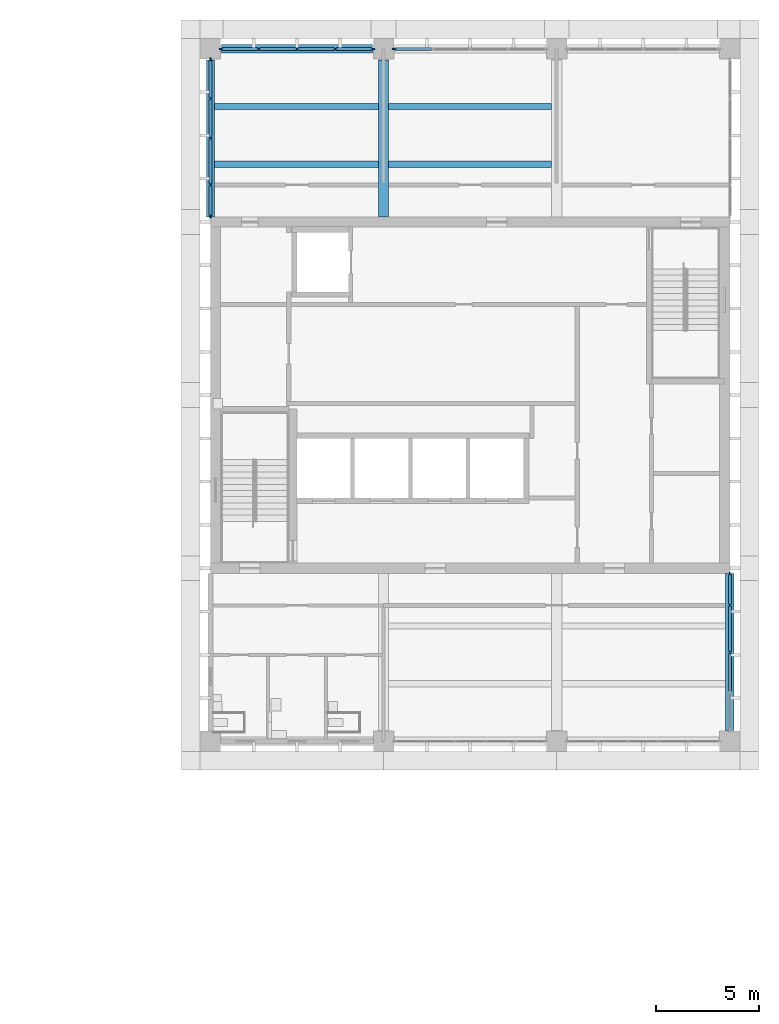
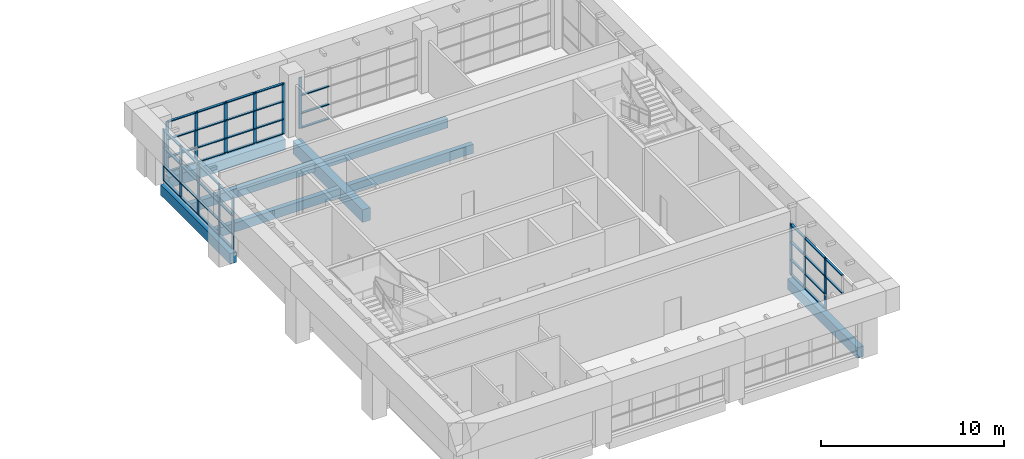
# One storey, part 8 of 56: 59 members, 8 beams, 4 elements without a shape of their own.
"""IFC4 building model written with IfcOpenShell, lengths in metres."""

import ifcopenshell
import ifcopenshell.guid

model = None  # the IFC model being written
_history = None  # IfcOwnerHistory: only IFC2X3 demands one
_inside = {}  # id of a spatial element -> (the spatial element, [elements in it])
_under = {}  # id of a project, library or spatial element -> (it, [spatial elements below it])
_declared = {}  # id of a project -> (the project, [libraries it declares])
_typed = {}  # id of a type object -> (the type object, [elements of that type])
_made_of = {}  # id of a material, layer set ... -> (it, [elements and type objects made of it])


def new_model(schema):
    """Start an empty IFC model of exactly this schema.

    Asked for "IFC4X3", IfcOpenShell would pick the latest addendum, in which some entities
    have other attributes; the version numbers below select the first issue.
    IFC2X3 requires an IfcOwnerHistory on every rooted entity: one is made here for all.
    """
    global model, _history
    if schema == "IFC4X3":
        model = ifcopenshell.file(schema_version=(4, 3, 0, 0))
    else:
        model = ifcopenshell.file(schema=schema)
    _inside.clear()
    _under.clear()
    _declared.clear()
    _typed.clear()
    _made_of.clear()
    _history = None
    if model.schema == "IFC2X3":
        org = make("IfcOrganization", Name="unknown")
        user = make(
            "IfcPersonAndOrganization",
            ThePerson=make("IfcPerson", FamilyName="unknown"),
            TheOrganization=org,
        )
        app = make(
            "IfcApplication",
            ApplicationDeveloper=org,
            Version="unknown",
            ApplicationFullName="unknown",
            ApplicationIdentifier="unknown",
        )
        _history = make(
            "IfcOwnerHistory",
            OwningUser=user,
            OwningApplication=app,
            ChangeAction="ADDED",
            CreationDate=0,
        )
    return model


def make(cls, **values):
    """One entity of the class cls with the attributes given. An attribute that is None is left unset."""
    return model.create_entity(
        cls, **{name: value for name, value in values.items() if value is not None}
    )


def rooted(cls, **values):
    """An entity with a GlobalId (a new one), such as an element, a storey or a relation."""
    return make(cls, GlobalId=ifcopenshell.guid.new(), OwnerHistory=_history, **values)


def si_unit(unit_type, name, prefix=None):
    """IfcSIUnit, for example si_unit("LENGTHUNIT", "METRE", prefix="MILLI")."""
    return make("IfcSIUnit", UnitType=unit_type, Prefix=prefix, Name=name)


def assignment(units):
    """IfcUnitAssignment: the units of a project."""
    return None if units is None else make("IfcUnitAssignment", Units=units)


def point(xyz):
    """IfcCartesianPoint."""
    return None if xyz is None else make("IfcCartesianPoint", Coordinates=xyz)


def direction(xyz):
    """IfcDirection."""
    return None if xyz is None else make("IfcDirection", DirectionRatios=xyz)


def frame(location, z_axis=None, x_axis=None):
    """IfcAxis2Placement3D, a coordinate frame: its origin and axes. An axis left out is left unset."""
    return make(
        "IfcAxis2Placement3D",
        Location=point(location),
        Axis=direction(z_axis),
        RefDirection=direction(x_axis),
    )


def frame_2d(location, x_axis=None):
    """IfcAxis2Placement2D, a coordinate frame in the plane: its origin and x axis."""
    return make(
        "IfcAxis2Placement2D", Location=point(location), RefDirection=direction(x_axis)
    )


def origin():
    """The frame at (0, 0, 0) with its axes left unset."""
    return frame((0.0, 0.0, 0.0))


def origin_2d():
    """The frame at (0, 0) in the plane with its x axis left unset."""
    return frame_2d((0.0, 0.0))


def place(relative_to, where):
    """IfcLocalPlacement: puts the frame where relative to a parent placement (None: the world)."""
    return make(
        "IfcLocalPlacement", PlacementRelTo=relative_to, RelativePlacement=where
    )


def context(
    kind, dimensions, precision=None, world=None, true_north=None, identifier=None
):
    """IfcGeometricRepresentationContext, for example the 3D "Model" context."""
    return make(
        "IfcGeometricRepresentationContext",
        ContextIdentifier=identifier,
        ContextType=kind,
        CoordinateSpaceDimension=dimensions,
        Precision=precision,
        WorldCoordinateSystem=world,
        TrueNorth=true_north,
    )


def subcontext(parent, identifier, kind, view, scale=None):
    """IfcGeometricRepresentationSubContext, for example "Body" below "Model"."""
    return make(
        "IfcGeometricRepresentationSubContext",
        ContextIdentifier=identifier,
        ContextType=kind,
        ParentContext=parent,
        TargetScale=scale,
        TargetView=view,
    )


def project(units=None, contexts=None):
    """IfcProject with its units and contexts."""
    return rooted(
        "IfcProject",
        Name="project",
        RepresentationContexts=contexts,
        UnitsInContext=assignment(units),
    )


def spatial(cls, under=None, at=None, **own):
    """A site, building, storey or space (cls), placed at a placement, below another one or the project."""
    s = rooted(cls, ObjectPlacement=at, **own)
    if under is not None:
        _under.setdefault(under.id(), (under, []))[1].append(s)
    return s


def profile(cls, at=None, kind="AREA", **sizes):
    """A parametric profile (cls). Its sizes go by their IFC names, for example OverallWidth=200.0."""
    return make(cls, ProfileType=kind, Position=at, **sizes)


def rectangle(**sizes):
    """IfcRectangleProfileDef."""
    return profile("IfcRectangleProfileDef", **sizes)


def extrude(swept, where, along, depth):
    """IfcExtrudedAreaSolid: the profile swept, set in the frame where, extruded along a direction by depth."""
    return make(
        "IfcExtrudedAreaSolid",
        SweptArea=swept,
        Position=where,
        ExtrudedDirection=direction(along),
        Depth=depth,
    )


def shape(context_of_items, identifier, shape_type, items):
    """IfcShapeRepresentation: the items that make up one representation, for example the "Body"."""
    return make(
        "IfcShapeRepresentation",
        ContextOfItems=context_of_items,
        RepresentationIdentifier=identifier,
        RepresentationType=shape_type,
        Items=items,
    )


def material(Name=None, Category=None):
    """IfcMaterial."""
    return make("IfcMaterial", Name=Name, Category=Category)


def layer(
    of_material, thickness, ventilated=None, Name=None, Category=None, Priority=None
):
    """IfcMaterialLayer: one layer of a wall or slab, of a material (None: an air gap)."""
    return make(
        "IfcMaterialLayer",
        Material=of_material,
        LayerThickness=thickness,
        IsVentilated=ventilated,
        Name=Name,
        Category=Category,
        Priority=Priority,
    )


def layer_set(layers, Name=None):
    """IfcMaterialLayerSet."""
    return make("IfcMaterialLayerSet", MaterialLayers=layers, LayerSetName=Name)


def material_profile(
    of_material, cross_section, Name=None, Category=None, Priority=None
):
    """IfcMaterialProfile: a cross section and its material."""
    return make(
        "IfcMaterialProfile",
        Name=Name,
        Material=of_material,
        Profile=cross_section,
        Priority=Priority,
        Category=Category,
    )


def profile_set(profiles, Name=None, composite=None):
    """IfcMaterialProfileSet."""
    return make(
        "IfcMaterialProfileSet",
        Name=Name,
        MaterialProfiles=profiles,
        CompositeProfile=composite,
    )


def made_of(thing, what):
    """Note that an element or type object is made of a material, layer set ...; save() writes the relation."""
    if what is not None:
        _made_of.setdefault(what.id(), (what, []))[1].append(thing)
    return thing


def type_object(cls, material=None, **own):
    """A type object (cls), such as IfcWallType, which elements share."""
    return made_of(rooted(cls, **own), material)


def element(
    cls,
    number,
    at=None,
    inside=None,
    cuts=None,
    type_object=None,
    material=None,
    context=None,
    identifier="Body",
    shape_type=None,
    held_by="IfcProductDefinitionShape",
    body=None,
    shapes=None,
    **own,
):
    """One element of the class cls, such as IfcWall. Its Tag is "e" and its number.

    at: its placement. inside: the storey or other place that contains it. cuts: it is an
    opening in that element (IfcRelVoidsElement). A single representation is given by context,
    identifier, shape_type and body (its items); several are given by shapes. held_by: the class
    of the entity that holds the representations. save() writes the other relations.
    """
    e = rooted(cls, Tag="e%d" % number, ObjectPlacement=at, **own)
    if body is not None:
        shapes = [shape(context, identifier, shape_type, body)]
    if shapes is not None:
        e.Representation = make(held_by, Representations=shapes)
    if inside is not None:
        _inside.setdefault(inside.id(), (inside, []))[1].append(e)
    if cuts is not None:
        rooted(
            "IfcRelVoidsElement", RelatingBuildingElement=cuts, RelatedOpeningElement=e
        )
    if type_object is not None:
        _typed.setdefault(type_object.id(), (type_object, []))[1].append(e)
    return made_of(e, material)


def aggregate(whole, parts):
    """IfcRelAggregates: a whole, such as a stair, and the parts it consists of."""
    return rooted("IfcRelAggregates", RelatingObject=whole, RelatedObjects=parts)


def save(model, path):
    """Write the relations noted so far, then the file.

    IfcRelAggregates (storeys below a building ...), IfcRelContainedInSpatialStructure (elements
    in a storey), IfcRelDefinesByType, IfcRelAssociatesMaterial and IfcRelDeclares: one each for
    every whole, place, type object, material and project.
    """
    for whole, parts in _under.values():
        aggregate(whole, parts)
    for where, things in _inside.values():
        rooted(
            "IfcRelContainedInSpatialStructure",
            RelatedElements=things,
            RelatingStructure=where,
        )
    for kind, things in _typed.values():
        rooted("IfcRelDefinesByType", RelatedObjects=things, RelatingType=kind)
    for what, things in _made_of.values():
        rooted("IfcRelAssociatesMaterial", RelatedObjects=things, RelatingMaterial=what)
    for by, libraries in _declared.values():
        rooted("IfcRelDeclares", RelatingContext=by, RelatedDefinitions=libraries)
    model.write(path)


model = new_model("IFC4")

# Units and contexts
model_context = context("Model", 3, precision=1e-05, world=origin(), true_north=direction((0.0, 1.0)))
body_context = subcontext(model_context, "Body", "Model", "MODEL_VIEW")
ifc_project = project(units=[si_unit("LENGTHUNIT", "METRE"), si_unit("AREAUNIT", "SQUARE_METRE"), si_unit("VOLUMEUNIT", "CUBIC_METRE"), si_unit("PLANEANGLEUNIT", "RADIAN"), si_unit("MASSUNIT", "GRAM", prefix="KILO")], contexts=[model_context])

# Site, building, storey
site_placement = place(None, origin())
site = spatial("IfcSite", under=ifc_project, at=site_placement, CompositionType="ELEMENT")
building_placement = place(site_placement, origin())
building = spatial("IfcBuilding", under=site, at=building_placement, Name="Rulbaag Community and Learning Centre", CompositionType="ELEMENT")
storey_placement = place(building_placement, frame((0.0, 0.0, 9.89990234375)))
storey = spatial("IfcBuildingStorey", under=building, at=storey_placement, Name="L02", CompositionType="ELEMENT", Elevation=9.89990234375)

# Beams
ifc_material_1 = material(Name="Concrete M40", Category="concrete")
ifc_material_profile_1 = material_profile(ifc_material_1, rectangle(XDim=0.39990234375, YDim=0.699951171875, at=origin_2d()), Name="RB400x700")
ifc_profile_set_1 = profile_set([ifc_material_profile_1], Name="Concrete M40")
beam_type_1 = type_object("IfcBeamType", Name="B17 Tower edge beam, lower zone 400x700 Concrete M40", PredefinedType="BEAM", material=ifc_profile_set_1)
beam_1_placement = place(storey_placement, frame((142.800048828125, 109.449951171875, -0.599853515625), z_axis=(0.0, 1.0, 0.0), x_axis=(-1.0, 0.0, 0.0)))
element("IfcBeam", 1, at=beam_1_placement, inside=storey, type_object=beam_type_1, Name="BM-L02-18N-18O", PredefinedType="BEAM", context=body_context, shape_type="SweptSolid", body=[
    extrude(rectangle(XDim=0.39990234375, YDim=0.699951171875, at=origin_2d()), origin(), (0.0, 0.0, 1.0), 7.6201171875),
])
beam_2_placement = place(storey_placement, frame((143.330078125, 117.60009765625, -0.599853515625), z_axis=(1.0, 0.0, 0.0), x_axis=(0.0, 1.0, 0.0)))
element("IfcBeam", 2, at=beam_2_placement, inside=storey, type_object=beam_type_1, Name="BM-L02-18O-19O", PredefinedType="BEAM", context=body_context, shape_type="SweptSolid", body=[
    extrude(rectangle(XDim=0.39990234375, YDim=0.699951171875, at=origin_2d()), origin(), (0.0, 0.0, 1.0), 7.33984375),
])
beam_3_placement = place(storey_placement, frame((168.0, 84.530029296875, -0.599853515625), z_axis=(0.0, 1.0, 0.0), x_axis=(-1.0, 0.0, 0.0)))
element("IfcBeam", 3, at=beam_3_placement, inside=storey, type_object=beam_type_1, Name="BM-L02-21K-21L", PredefinedType="BEAM", context=body_context, shape_type="SweptSolid", body=[
    extrude(rectangle(XDim=0.39990234375, YDim=0.699951171875, at=origin_2d()), origin(), (0.0, 0.0, 1.0), 7.619873046875),
])
ifc_material_profile_2 = material_profile(ifc_material_1, rectangle(XDim=0.5, YDim=0.85009765625, at=origin_2d()), Name="RB500x850")
ifc_profile_set_2 = profile_set([ifc_material_profile_2], Name="Concrete M40")
beam_type_2 = type_object("IfcBeamType", Name="B18 Core-framing beam, lower zone 500x850 Concrete M40", PredefinedType="BEAM", material=ifc_profile_set_2)
beam_4_placement = place(storey_placement, frame((151.199951171875, 109.449951171875, -0.6748046875), z_axis=(0.0, 1.0, 0.0), x_axis=(-1.0, 0.0, 0.0)))
element("IfcBeam", 4, at=beam_4_placement, inside=storey, type_object=beam_type_2, Name="BM-L02-19N-19O", PredefinedType="BEAM", context=body_context, shape_type="SweptSolid", body=[
    extrude(rectangle(XDim=0.5, YDim=0.85009765625, at=origin_2d()), origin(), (0.0, 0.0, 1.0), 7.6201171875),
])
ifc_material_profile_3 = material_profile(ifc_material_1, rectangle(XDim=0.300048828125, YDim=0.60009765625, at=origin_2d()), Name="RB300x600")
ifc_profile_set_3 = profile_set([ifc_material_profile_3], Name="Concrete M40")
beam_type_3 = type_object("IfcBeamType", Name="B30 Secondary joist 300x600 Concrete M40", PredefinedType="BEAM", material=ifc_profile_set_3)
for number, where, z_axis, x_axis, name in (
    (5, (143.0, 112.0, -0.5498046875), (1.0, 0.0, 0.0), (0.0, 1.0, 0.0), "BM-JS-L02-18N-1"),
    (6, (143.0, 114.800048828125, -0.5498046875), (1.0, 0.0, 0.0), (0.0, 1.0, 0.0), "BM-JS-L02-18N-2"),
):
    element("IfcBeam", number, at=place(storey_placement, frame(where, z_axis=z_axis, x_axis=x_axis)), inside=storey, type_object=beam_type_3, Name=name, PredefinedType="BEAM", context=body_context, shape_type="SweptSolid", body=[
        extrude(rectangle(XDim=0.300048828125, YDim=0.60009765625, at=origin_2d()), origin(), (0.0, 0.0, 1.0), 7.949951171875),
    ])
for number, where, z_axis, x_axis, name in (
    (7, (151.449951171875, 112.0, -0.5498046875), (1.0, 0.0, 0.0), (0.0, 1.0, 0.0), "BM-JS-L02-19N-1"),
    (8, (151.449951171875, 114.800048828125, -0.5498046875), (1.0, 0.0, 0.0), (0.0, 1.0, 0.0), "BM-JS-L02-19N-2"),
):
    element("IfcBeam", number, at=place(storey_placement, frame(where, z_axis=z_axis, x_axis=x_axis)), inside=storey, type_object=beam_type_3, Name=name, PredefinedType="BEAM", context=body_context, shape_type="SweptSolid", body=[
        extrude(rectangle(XDim=0.300048828125, YDim=0.60009765625, at=origin_2d()), origin(), (0.0, 0.0, 1.0), 7.900146484375),
    ])

# Curtain wall, members
ifc_material_2 = material(Name="Aluminium", Category="aluminium")
ifc_layer = layer(ifc_material_2, 0.14990234375)
ifc_layer_set = layer_set([ifc_layer], Name="CW-T")
curtain_wall_type = type_object("IfcCurtainWallType", Name="CW-T", PredefinedType="USERDEFINED", material=ifc_layer_set)
curtain_wall_1_placement = place(storey_placement, origin())
curtain_wall_1 = element("IfcCurtainWall", 9, at=curtain_wall_1_placement, inside=storey, type_object=curtain_wall_type, Name="GT-L02-01", ObjectType="UNITISED CURTAIN WALL", PredefinedType="USERDEFINED")
ifc_material_3 = material(Name="Aluminium mullion", Category="aluminium")
ifc_material_profile_4 = material_profile(ifc_material_3, rectangle(XDim=0.06494140625, YDim=0.199951171875, at=origin_2d()), Name="AL 65x200")
ifc_profile_set_4 = profile_set([ifc_material_profile_4], Name="Aluminium mullion")
member_type_1 = type_object("IfcMemberType", Name="CW-T-MUL", PredefinedType="MULLION", material=ifc_profile_set_4)
member_1_placement = place(storey_placement, frame((143.33251953125, 117.60009765625, 0.0), z_axis=(0.0, 0.0, 1.0), x_axis=(0.0, 1.0, 0.0)))
member_1 = element("IfcMember", 10, at=member_1_placement, type_object=member_type_1, Name="GT mullion 1", PredefinedType="MULLION", context=body_context, shape_type="SweptSolid", body=[
    extrude(rectangle(XDim=0.06494140625, YDim=0.199951171875, at=origin_2d()), origin(), (0.0, 0.0, 1.0), 3.400146484375),
])
member_2_placement = place(storey_placement, frame((145.14990234375, 117.60009765625, 0.0), z_axis=(0.0, 0.0, 1.0), x_axis=(0.0, 1.0, 0.0)))
member_2 = element("IfcMember", 11, at=member_2_placement, type_object=member_type_1, Name="GT mullion 2", PredefinedType="MULLION", context=body_context, shape_type="SweptSolid", body=[
    extrude(rectangle(XDim=0.06494140625, YDim=0.199951171875, at=origin_2d()), origin(), (0.0, 0.0, 1.0), 3.400146484375),
])
member_3_placement = place(storey_placement, frame((147.0, 117.60009765625, 0.0), z_axis=(0.0, 0.0, 1.0), x_axis=(0.0, 1.0, 0.0)))
member_3 = element("IfcMember", 12, at=member_3_placement, type_object=member_type_1, Name="GT mullion 3", PredefinedType="MULLION", context=body_context, shape_type="SweptSolid", body=[
    extrude(rectangle(XDim=0.06494140625, YDim=0.199951171875, at=origin_2d()), origin(), (0.0, 0.0, 1.0), 3.400146484375),
])
member_4_placement = place(storey_placement, frame((148.85009765625, 117.60009765625, 0.0), z_axis=(0.0, 0.0, 1.0), x_axis=(0.0, 1.0, 0.0)))
member_4 = element("IfcMember", 13, at=member_4_placement, type_object=member_type_1, Name="GT mullion 4", PredefinedType="MULLION", context=body_context, shape_type="SweptSolid", body=[
    extrude(rectangle(XDim=0.06494140625, YDim=0.199951171875, at=origin_2d()), origin(), (0.0, 0.0, 1.0), 3.400146484375),
])
member_5_placement = place(storey_placement, frame((150.66748046875, 117.60009765625, 0.0), z_axis=(0.0, 0.0, 1.0), x_axis=(0.0, 1.0, 0.0)))
member_5 = element("IfcMember", 14, at=member_5_placement, type_object=member_type_1, Name="GT mullion 5", PredefinedType="MULLION", context=body_context, shape_type="SweptSolid", body=[
    extrude(rectangle(XDim=0.06494140625, YDim=0.199951171875, at=origin_2d()), origin(), (0.0, 0.0, 1.0), 3.400146484375),
])

# Curtain wall, member
curtain_wall_2_placement = place(storey_placement, origin())
curtain_wall_2 = element("IfcCurtainWall", 15, at=curtain_wall_2_placement, inside=storey, type_object=curtain_wall_type, Name="GT-L02-02", ObjectType="UNITISED CURTAIN WALL", PredefinedType="USERDEFINED")
member_6_placement = place(storey_placement, frame((151.732421875, 117.60009765625, 0.0), z_axis=(0.0, 0.0, 1.0), x_axis=(0.0, 1.0, 0.0)))
member_6 = element("IfcMember", 16, at=member_6_placement, type_object=member_type_1, Name="GT mullion 1", PredefinedType="MULLION", context=body_context, shape_type="SweptSolid", body=[
    extrude(rectangle(XDim=0.06494140625, YDim=0.199951171875, at=origin_2d()), origin(), (0.0, 0.0, 1.0), 3.400146484375),
])

# Curtain wall, members
curtain_wall_3_placement = place(storey_placement, origin())
curtain_wall_3 = element("IfcCurtainWall", 17, at=curtain_wall_3_placement, inside=storey, type_object=curtain_wall_type, Name="GT-L02-04", ObjectType="UNITISED CURTAIN WALL", PredefinedType="USERDEFINED")
member_7_placement = place(storey_placement, frame((142.800048828125, 109.482421875, 0.0), z_axis=(0.0, 0.0, 1.0), x_axis=(-1.0, 0.0, 0.0)))
member_7 = element("IfcMember", 18, at=member_7_placement, type_object=member_type_1, Name="GT mullion 1", PredefinedType="MULLION", context=body_context, shape_type="SweptSolid", body=[
    extrude(rectangle(XDim=0.06494140625, YDim=0.199951171875, at=origin_2d()), origin(), (0.0, 0.0, 1.0), 3.400146484375),
])
member_8_placement = place(storey_placement, frame((142.800048828125, 111.0, 0.0), z_axis=(0.0, 0.0, 1.0), x_axis=(-1.0, 0.0, 0.0)))
member_8 = element("IfcMember", 19, at=member_8_placement, type_object=member_type_1, Name="GT mullion 2", PredefinedType="MULLION", context=body_context, shape_type="SweptSolid", body=[
    extrude(rectangle(XDim=0.06494140625, YDim=0.199951171875, at=origin_2d()), origin(), (0.0, 0.0, 1.0), 3.400146484375),
])
member_9_placement = place(storey_placement, frame((142.800048828125, 113.27490234375, 0.0), z_axis=(0.0, 0.0, 1.0), x_axis=(-1.0, 0.0, 0.0)))
member_9 = element("IfcMember", 20, at=member_9_placement, type_object=member_type_1, Name="GT mullion 3", PredefinedType="MULLION", context=body_context, shape_type="SweptSolid", body=[
    extrude(rectangle(XDim=0.06494140625, YDim=0.199951171875, at=origin_2d()), origin(), (0.0, 0.0, 1.0), 3.400146484375),
])
member_10_placement = place(storey_placement, frame((142.800048828125, 115.1875, 0.0), z_axis=(0.0, 0.0, 1.0), x_axis=(-1.0, 0.0, 0.0)))
member_10 = element("IfcMember", 21, at=member_10_placement, type_object=member_type_1, Name="GT mullion 4", PredefinedType="MULLION", context=body_context, shape_type="SweptSolid", body=[
    extrude(rectangle(XDim=0.06494140625, YDim=0.199951171875, at=origin_2d()), origin(), (0.0, 0.0, 1.0), 3.400146484375),
])
member_11_placement = place(storey_placement, frame((142.800048828125, 117.0673828125, 0.0), z_axis=(0.0, 0.0, 1.0), x_axis=(-1.0, 0.0, 0.0)))
member_11 = element("IfcMember", 22, at=member_11_placement, type_object=member_type_1, Name="GT mullion 5", PredefinedType="MULLION", context=body_context, shape_type="SweptSolid", body=[
    extrude(rectangle(XDim=0.06494140625, YDim=0.199951171875, at=origin_2d()), origin(), (0.0, 0.0, 1.0), 3.400146484375),
])

curtain_wall_4_placement = place(storey_placement, origin())
curtain_wall_4 = element("IfcCurtainWall", 23, at=curtain_wall_4_placement, inside=storey, type_object=curtain_wall_type, Name="GT-L02-05", ObjectType="UNITISED CURTAIN WALL", PredefinedType="USERDEFINED")
member_12_placement = place(storey_placement, frame((168.0, 88.324951171875, 0.0), z_axis=(0.0, 0.0, 1.0), x_axis=(-1.0, 0.0, 0.0)))
member_12 = element("IfcMember", 24, at=member_12_placement, type_object=member_type_1, Name="GT mullion 3", PredefinedType="MULLION", context=body_context, shape_type="SweptSolid", body=[
    extrude(rectangle(XDim=0.06494140625, YDim=0.199951171875, at=origin_2d()), origin(), (0.0, 0.0, 1.0), 3.400146484375),
])
member_13_placement = place(storey_placement, frame((168.0, 90.60009765625, 0.0), z_axis=(0.0, 0.0, 1.0), x_axis=(-1.0, 0.0, 0.0)))
member_13 = element("IfcMember", 25, at=member_13_placement, type_object=member_type_1, Name="GT mullion 4", PredefinedType="MULLION", context=body_context, shape_type="SweptSolid", body=[
    extrude(rectangle(XDim=0.06494140625, YDim=0.199951171875, at=origin_2d()), origin(), (0.0, 0.0, 1.0), 3.400146484375),
])
member_14_placement = place(storey_placement, frame((168.0, 92.117431640625, 0.0), z_axis=(0.0, 0.0, 1.0), x_axis=(-1.0, 0.0, 0.0)))
member_14 = element("IfcMember", 26, at=member_14_placement, type_object=member_type_1, Name="GT mullion 5", PredefinedType="MULLION", context=body_context, shape_type="SweptSolid", body=[
    extrude(rectangle(XDim=0.06494140625, YDim=0.199951171875, at=origin_2d()), origin(), (0.0, 0.0, 1.0), 3.400146484375),
])

# Member
ifc_material_4 = material(Name="Aluminium transom", Category="aluminium")
ifc_material_profile_5 = material_profile(ifc_material_4, rectangle(XDim=0.14990234375, YDim=0.06494140625, at=origin_2d()), Name="AL 65x150 T")
ifc_profile_set_5 = profile_set([ifc_material_profile_5], Name="Aluminium transom")
member_type_2 = type_object("IfcMemberType", Name="CW-T-TRN", PredefinedType="USERDEFINED", material=ifc_profile_set_5)
member_15_placement = place(storey_placement, frame((143.364990234375, 117.60009765625, 0.03271484375), z_axis=(1.0, 0.0, 0.0), x_axis=(0.0, 1.0, 0.0)))
member_15 = element("IfcMember", 27, at=member_15_placement, type_object=member_type_2, Name="GT transom 1.1", ObjectType="TRANSOM", PredefinedType="USERDEFINED", context=body_context, shape_type="SweptSolid", body=[
    extrude(rectangle(XDim=0.14990234375, YDim=0.06494140625, at=origin_2d()), origin(), (0.0, 0.0, 1.0), 1.75244140625),
])

member_16_placement = place(storey_placement, frame((143.364990234375, 117.60009765625, 1.0), z_axis=(1.0, 0.0, 0.0), x_axis=(0.0, 1.0, 0.0)))
member_16 = element("IfcMember", 28, at=member_16_placement, type_object=member_type_2, Name="GT transom 1.2", ObjectType="TRANSOM", PredefinedType="USERDEFINED", context=body_context, shape_type="SweptSolid", body=[
    extrude(rectangle(XDim=0.14990234375, YDim=0.06494140625, at=origin_2d()), origin(), (0.0, 0.0, 1.0), 1.75244140625),
])

member_17_placement = place(storey_placement, frame((143.364990234375, 117.60009765625, 2.2001953125), z_axis=(1.0, 0.0, 0.0), x_axis=(0.0, 1.0, 0.0)))
member_17 = element("IfcMember", 29, at=member_17_placement, type_object=member_type_2, Name="GT transom 1.3", ObjectType="TRANSOM", PredefinedType="USERDEFINED", context=body_context, shape_type="SweptSolid", body=[
    extrude(rectangle(XDim=0.14990234375, YDim=0.06494140625, at=origin_2d()), origin(), (0.0, 0.0, 1.0), 1.75244140625),
])

member_18_placement = place(storey_placement, frame((143.364990234375, 117.60009765625, 3.36767578125), z_axis=(1.0, 0.0, 0.0), x_axis=(0.0, 1.0, 0.0)))
member_18 = element("IfcMember", 30, at=member_18_placement, type_object=member_type_2, Name="GT transom 1.4", ObjectType="TRANSOM", PredefinedType="USERDEFINED", context=body_context, shape_type="SweptSolid", body=[
    extrude(rectangle(XDim=0.14990234375, YDim=0.06494140625, at=origin_2d()), origin(), (0.0, 0.0, 1.0), 1.75244140625),
])

member_19_placement = place(storey_placement, frame((145.1826171875, 117.60009765625, 0.03271484375), z_axis=(1.0, 0.0, 0.0), x_axis=(0.0, 1.0, 0.0)))
member_19 = element("IfcMember", 31, at=member_19_placement, type_object=member_type_2, Name="GT transom 2.1", ObjectType="TRANSOM", PredefinedType="USERDEFINED", context=body_context, shape_type="SweptSolid", body=[
    extrude(rectangle(XDim=0.14990234375, YDim=0.06494140625, at=origin_2d()), origin(), (0.0, 0.0, 1.0), 1.784912109375),
])

member_20_placement = place(storey_placement, frame((145.1826171875, 117.60009765625, 1.0), z_axis=(1.0, 0.0, 0.0), x_axis=(0.0, 1.0, 0.0)))
member_20 = element("IfcMember", 32, at=member_20_placement, type_object=member_type_2, Name="GT transom 2.2", ObjectType="TRANSOM", PredefinedType="USERDEFINED", context=body_context, shape_type="SweptSolid", body=[
    extrude(rectangle(XDim=0.14990234375, YDim=0.06494140625, at=origin_2d()), origin(), (0.0, 0.0, 1.0), 1.784912109375),
])

member_21_placement = place(storey_placement, frame((145.1826171875, 117.60009765625, 2.2001953125), z_axis=(1.0, 0.0, 0.0), x_axis=(0.0, 1.0, 0.0)))
member_21 = element("IfcMember", 33, at=member_21_placement, type_object=member_type_2, Name="GT transom 2.3", ObjectType="TRANSOM", PredefinedType="USERDEFINED", context=body_context, shape_type="SweptSolid", body=[
    extrude(rectangle(XDim=0.14990234375, YDim=0.06494140625, at=origin_2d()), origin(), (0.0, 0.0, 1.0), 1.784912109375),
])

member_22_placement = place(storey_placement, frame((145.1826171875, 117.60009765625, 3.36767578125), z_axis=(1.0, 0.0, 0.0), x_axis=(0.0, 1.0, 0.0)))
member_22 = element("IfcMember", 34, at=member_22_placement, type_object=member_type_2, Name="GT transom 2.4", ObjectType="TRANSOM", PredefinedType="USERDEFINED", context=body_context, shape_type="SweptSolid", body=[
    extrude(rectangle(XDim=0.14990234375, YDim=0.06494140625, at=origin_2d()), origin(), (0.0, 0.0, 1.0), 1.784912109375),
])

member_23_placement = place(storey_placement, frame((147.032470703125, 117.60009765625, 0.03271484375), z_axis=(1.0, 0.0, 0.0), x_axis=(0.0, 1.0, 0.0)))
member_23 = element("IfcMember", 35, at=member_23_placement, type_object=member_type_2, Name="GT transom 3.1", ObjectType="TRANSOM", PredefinedType="USERDEFINED", context=body_context, shape_type="SweptSolid", body=[
    extrude(rectangle(XDim=0.14990234375, YDim=0.06494140625, at=origin_2d()), origin(), (0.0, 0.0, 1.0), 1.784912109375),
])

member_24_placement = place(storey_placement, frame((147.032470703125, 117.60009765625, 1.0), z_axis=(1.0, 0.0, 0.0), x_axis=(0.0, 1.0, 0.0)))
member_24 = element("IfcMember", 36, at=member_24_placement, type_object=member_type_2, Name="GT transom 3.2", ObjectType="TRANSOM", PredefinedType="USERDEFINED", context=body_context, shape_type="SweptSolid", body=[
    extrude(rectangle(XDim=0.14990234375, YDim=0.06494140625, at=origin_2d()), origin(), (0.0, 0.0, 1.0), 1.784912109375),
])

member_25_placement = place(storey_placement, frame((147.032470703125, 117.60009765625, 2.2001953125), z_axis=(1.0, 0.0, 0.0), x_axis=(0.0, 1.0, 0.0)))
member_25 = element("IfcMember", 37, at=member_25_placement, type_object=member_type_2, Name="GT transom 3.3", ObjectType="TRANSOM", PredefinedType="USERDEFINED", context=body_context, shape_type="SweptSolid", body=[
    extrude(rectangle(XDim=0.14990234375, YDim=0.06494140625, at=origin_2d()), origin(), (0.0, 0.0, 1.0), 1.784912109375),
])

member_26_placement = place(storey_placement, frame((147.032470703125, 117.60009765625, 3.36767578125), z_axis=(1.0, 0.0, 0.0), x_axis=(0.0, 1.0, 0.0)))
member_26 = element("IfcMember", 38, at=member_26_placement, type_object=member_type_2, Name="GT transom 3.4", ObjectType="TRANSOM", PredefinedType="USERDEFINED", context=body_context, shape_type="SweptSolid", body=[
    extrude(rectangle(XDim=0.14990234375, YDim=0.06494140625, at=origin_2d()), origin(), (0.0, 0.0, 1.0), 1.784912109375),
])

member_27_placement = place(storey_placement, frame((148.882568359375, 117.60009765625, 0.03271484375), z_axis=(1.0, 0.0, 0.0), x_axis=(0.0, 1.0, 0.0)))
member_27 = element("IfcMember", 39, at=member_27_placement, type_object=member_type_2, Name="GT transom 4.1", ObjectType="TRANSOM", PredefinedType="USERDEFINED", context=body_context, shape_type="SweptSolid", body=[
    extrude(rectangle(XDim=0.14990234375, YDim=0.06494140625, at=origin_2d()), origin(), (0.0, 0.0, 1.0), 1.75244140625),
])

member_28_placement = place(storey_placement, frame((148.882568359375, 117.60009765625, 1.0), z_axis=(1.0, 0.0, 0.0), x_axis=(0.0, 1.0, 0.0)))
member_28 = element("IfcMember", 40, at=member_28_placement, type_object=member_type_2, Name="GT transom 4.2", ObjectType="TRANSOM", PredefinedType="USERDEFINED", context=body_context, shape_type="SweptSolid", body=[
    extrude(rectangle(XDim=0.14990234375, YDim=0.06494140625, at=origin_2d()), origin(), (0.0, 0.0, 1.0), 1.75244140625),
])

member_29_placement = place(storey_placement, frame((148.882568359375, 117.60009765625, 2.2001953125), z_axis=(1.0, 0.0, 0.0), x_axis=(0.0, 1.0, 0.0)))
member_29 = element("IfcMember", 41, at=member_29_placement, type_object=member_type_2, Name="GT transom 4.3", ObjectType="TRANSOM", PredefinedType="USERDEFINED", context=body_context, shape_type="SweptSolid", body=[
    extrude(rectangle(XDim=0.14990234375, YDim=0.06494140625, at=origin_2d()), origin(), (0.0, 0.0, 1.0), 1.75244140625),
])

member_30_placement = place(storey_placement, frame((148.882568359375, 117.60009765625, 3.36767578125), z_axis=(1.0, 0.0, 0.0), x_axis=(0.0, 1.0, 0.0)))
member_30 = element("IfcMember", 42, at=member_30_placement, type_object=member_type_2, Name="GT transom 4.4", ObjectType="TRANSOM", PredefinedType="USERDEFINED", context=body_context, shape_type="SweptSolid", body=[
    extrude(rectangle(XDim=0.14990234375, YDim=0.06494140625, at=origin_2d()), origin(), (0.0, 0.0, 1.0), 1.75244140625),
])

aggregate(curtain_wall_1, [member_1, member_2, member_3, member_4, member_5, member_15, member_16, member_17, member_18, member_19, member_20, member_21, member_22, member_23, member_24, member_25, member_26, member_27, member_28, member_29, member_30])

member_31_placement = place(storey_placement, frame((151.764892578125, 117.60009765625, 0.03271484375), z_axis=(1.0, 0.0, 0.0), x_axis=(0.0, 1.0, 0.0)))
member_31 = element("IfcMember", 43, at=member_31_placement, type_object=member_type_2, Name="GT transom 1.1", ObjectType="TRANSOM", PredefinedType="USERDEFINED", context=body_context, shape_type="SweptSolid", body=[
    extrude(rectangle(XDim=0.14990234375, YDim=0.06494140625, at=origin_2d()), origin(), (0.0, 0.0, 1.0), 1.752685546875),
])

member_32_placement = place(storey_placement, frame((151.764892578125, 117.60009765625, 1.0), z_axis=(1.0, 0.0, 0.0), x_axis=(0.0, 1.0, 0.0)))
member_32 = element("IfcMember", 44, at=member_32_placement, type_object=member_type_2, Name="GT transom 1.2", ObjectType="TRANSOM", PredefinedType="USERDEFINED", context=body_context, shape_type="SweptSolid", body=[
    extrude(rectangle(XDim=0.14990234375, YDim=0.06494140625, at=origin_2d()), origin(), (0.0, 0.0, 1.0), 1.752685546875),
])

member_33_placement = place(storey_placement, frame((151.764892578125, 117.60009765625, 2.2001953125), z_axis=(1.0, 0.0, 0.0), x_axis=(0.0, 1.0, 0.0)))
member_33 = element("IfcMember", 45, at=member_33_placement, type_object=member_type_2, Name="GT transom 1.3", ObjectType="TRANSOM", PredefinedType="USERDEFINED", context=body_context, shape_type="SweptSolid", body=[
    extrude(rectangle(XDim=0.14990234375, YDim=0.06494140625, at=origin_2d()), origin(), (0.0, 0.0, 1.0), 1.752685546875),
])

aggregate(curtain_wall_2, [member_6, member_31, member_32, member_33])

member_34_placement = place(storey_placement, frame((142.800048828125, 109.514892578125, 0.03271484375), z_axis=(0.0, 1.0, 0.0), x_axis=(-1.0, 0.0, 0.0)))
member_34 = element("IfcMember", 46, at=member_34_placement, type_object=member_type_2, Name="GT transom 1.1", ObjectType="TRANSOM", PredefinedType="USERDEFINED", context=body_context, shape_type="SweptSolid", body=[
    extrude(rectangle(XDim=0.14990234375, YDim=0.06494140625, at=origin_2d()), origin(), (0.0, 0.0, 1.0), 1.45263671875),
])

member_35_placement = place(storey_placement, frame((142.800048828125, 109.514892578125, 1.0), z_axis=(0.0, 1.0, 0.0), x_axis=(-1.0, 0.0, 0.0)))
member_35 = element("IfcMember", 47, at=member_35_placement, type_object=member_type_2, Name="GT transom 1.2", ObjectType="TRANSOM", PredefinedType="USERDEFINED", context=body_context, shape_type="SweptSolid", body=[
    extrude(rectangle(XDim=0.14990234375, YDim=0.06494140625, at=origin_2d()), origin(), (0.0, 0.0, 1.0), 1.45263671875),
])

member_36_placement = place(storey_placement, frame((142.800048828125, 109.514892578125, 2.2001953125), z_axis=(0.0, 1.0, 0.0), x_axis=(-1.0, 0.0, 0.0)))
member_36 = element("IfcMember", 48, at=member_36_placement, type_object=member_type_2, Name="GT transom 1.3", ObjectType="TRANSOM", PredefinedType="USERDEFINED", context=body_context, shape_type="SweptSolid", body=[
    extrude(rectangle(XDim=0.14990234375, YDim=0.06494140625, at=origin_2d()), origin(), (0.0, 0.0, 1.0), 1.45263671875),
])

member_37_placement = place(storey_placement, frame((142.800048828125, 109.514892578125, 3.36767578125), z_axis=(0.0, 1.0, 0.0), x_axis=(-1.0, 0.0, 0.0)))
member_37 = element("IfcMember", 49, at=member_37_placement, type_object=member_type_2, Name="GT transom 1.4", ObjectType="TRANSOM", PredefinedType="USERDEFINED", context=body_context, shape_type="SweptSolid", body=[
    extrude(rectangle(XDim=0.14990234375, YDim=0.06494140625, at=origin_2d()), origin(), (0.0, 0.0, 1.0), 1.45263671875),
])

member_38_placement = place(storey_placement, frame((142.800048828125, 111.032470703125, 0.03271484375), z_axis=(0.0, 1.0, 0.0), x_axis=(-1.0, 0.0, 0.0)))
member_38 = element("IfcMember", 50, at=member_38_placement, type_object=member_type_2, Name="GT transom 2.1", ObjectType="TRANSOM", PredefinedType="USERDEFINED", context=body_context, shape_type="SweptSolid", body=[
    extrude(rectangle(XDim=0.14990234375, YDim=0.06494140625, at=origin_2d()), origin(), (0.0, 0.0, 1.0), 2.2099609375),
])

member_39_placement = place(storey_placement, frame((142.800048828125, 111.032470703125, 1.0), z_axis=(0.0, 1.0, 0.0), x_axis=(-1.0, 0.0, 0.0)))
member_39 = element("IfcMember", 51, at=member_39_placement, type_object=member_type_2, Name="GT transom 2.2", ObjectType="TRANSOM", PredefinedType="USERDEFINED", context=body_context, shape_type="SweptSolid", body=[
    extrude(rectangle(XDim=0.14990234375, YDim=0.06494140625, at=origin_2d()), origin(), (0.0, 0.0, 1.0), 2.2099609375),
])

member_40_placement = place(storey_placement, frame((142.800048828125, 111.032470703125, 2.2001953125), z_axis=(0.0, 1.0, 0.0), x_axis=(-1.0, 0.0, 0.0)))
member_40 = element("IfcMember", 52, at=member_40_placement, type_object=member_type_2, Name="GT transom 2.3", ObjectType="TRANSOM", PredefinedType="USERDEFINED", context=body_context, shape_type="SweptSolid", body=[
    extrude(rectangle(XDim=0.14990234375, YDim=0.06494140625, at=origin_2d()), origin(), (0.0, 0.0, 1.0), 2.2099609375),
])

member_41_placement = place(storey_placement, frame((142.800048828125, 111.032470703125, 3.36767578125), z_axis=(0.0, 1.0, 0.0), x_axis=(-1.0, 0.0, 0.0)))
member_41 = element("IfcMember", 53, at=member_41_placement, type_object=member_type_2, Name="GT transom 2.4", ObjectType="TRANSOM", PredefinedType="USERDEFINED", context=body_context, shape_type="SweptSolid", body=[
    extrude(rectangle(XDim=0.14990234375, YDim=0.06494140625, at=origin_2d()), origin(), (0.0, 0.0, 1.0), 2.2099609375),
])

member_42_placement = place(storey_placement, frame((142.800048828125, 113.3076171875, 0.03271484375), z_axis=(0.0, 1.0, 0.0), x_axis=(-1.0, 0.0, 0.0)))
member_42 = element("IfcMember", 54, at=member_42_placement, type_object=member_type_2, Name="GT transom 3.1", ObjectType="TRANSOM", PredefinedType="USERDEFINED", context=body_context, shape_type="SweptSolid", body=[
    extrude(rectangle(XDim=0.14990234375, YDim=0.06494140625, at=origin_2d()), origin(), (0.0, 0.0, 1.0), 1.847412109375),
])

member_43_placement = place(storey_placement, frame((142.800048828125, 113.3076171875, 1.0), z_axis=(0.0, 1.0, 0.0), x_axis=(-1.0, 0.0, 0.0)))
member_43 = element("IfcMember", 55, at=member_43_placement, type_object=member_type_2, Name="GT transom 3.2", ObjectType="TRANSOM", PredefinedType="USERDEFINED", context=body_context, shape_type="SweptSolid", body=[
    extrude(rectangle(XDim=0.14990234375, YDim=0.06494140625, at=origin_2d()), origin(), (0.0, 0.0, 1.0), 1.847412109375),
])

member_44_placement = place(storey_placement, frame((142.800048828125, 113.3076171875, 2.2001953125), z_axis=(0.0, 1.0, 0.0), x_axis=(-1.0, 0.0, 0.0)))
member_44 = element("IfcMember", 56, at=member_44_placement, type_object=member_type_2, Name="GT transom 3.3", ObjectType="TRANSOM", PredefinedType="USERDEFINED", context=body_context, shape_type="SweptSolid", body=[
    extrude(rectangle(XDim=0.14990234375, YDim=0.06494140625, at=origin_2d()), origin(), (0.0, 0.0, 1.0), 1.847412109375),
])

member_45_placement = place(storey_placement, frame((142.800048828125, 113.3076171875, 3.36767578125), z_axis=(0.0, 1.0, 0.0), x_axis=(-1.0, 0.0, 0.0)))
member_45 = element("IfcMember", 57, at=member_45_placement, type_object=member_type_2, Name="GT transom 3.4", ObjectType="TRANSOM", PredefinedType="USERDEFINED", context=body_context, shape_type="SweptSolid", body=[
    extrude(rectangle(XDim=0.14990234375, YDim=0.06494140625, at=origin_2d()), origin(), (0.0, 0.0, 1.0), 1.847412109375),
])

member_46_placement = place(storey_placement, frame((142.800048828125, 115.219970703125, 0.03271484375), z_axis=(0.0, 1.0, 0.0), x_axis=(-1.0, 0.0, 0.0)))
member_46 = element("IfcMember", 58, at=member_46_placement, type_object=member_type_2, Name="GT transom 4.1", ObjectType="TRANSOM", PredefinedType="USERDEFINED", context=body_context, shape_type="SweptSolid", body=[
    extrude(rectangle(XDim=0.14990234375, YDim=0.06494140625, at=origin_2d()), origin(), (0.0, 0.0, 1.0), 1.81494140625),
])

member_47_placement = place(storey_placement, frame((142.800048828125, 115.219970703125, 1.0), z_axis=(0.0, 1.0, 0.0), x_axis=(-1.0, 0.0, 0.0)))
member_47 = element("IfcMember", 59, at=member_47_placement, type_object=member_type_2, Name="GT transom 4.2", ObjectType="TRANSOM", PredefinedType="USERDEFINED", context=body_context, shape_type="SweptSolid", body=[
    extrude(rectangle(XDim=0.14990234375, YDim=0.06494140625, at=origin_2d()), origin(), (0.0, 0.0, 1.0), 1.81494140625),
])

member_48_placement = place(storey_placement, frame((142.800048828125, 115.219970703125, 2.2001953125), z_axis=(0.0, 1.0, 0.0), x_axis=(-1.0, 0.0, 0.0)))
member_48 = element("IfcMember", 60, at=member_48_placement, type_object=member_type_2, Name="GT transom 4.3", ObjectType="TRANSOM", PredefinedType="USERDEFINED", context=body_context, shape_type="SweptSolid", body=[
    extrude(rectangle(XDim=0.14990234375, YDim=0.06494140625, at=origin_2d()), origin(), (0.0, 0.0, 1.0), 1.81494140625),
])

member_49_placement = place(storey_placement, frame((142.800048828125, 115.219970703125, 3.36767578125), z_axis=(0.0, 1.0, 0.0), x_axis=(-1.0, 0.0, 0.0)))
member_49 = element("IfcMember", 61, at=member_49_placement, type_object=member_type_2, Name="GT transom 4.4", ObjectType="TRANSOM", PredefinedType="USERDEFINED", context=body_context, shape_type="SweptSolid", body=[
    extrude(rectangle(XDim=0.14990234375, YDim=0.06494140625, at=origin_2d()), origin(), (0.0, 0.0, 1.0), 1.81494140625),
])

aggregate(curtain_wall_3, [member_7, member_8, member_9, member_10, member_11, member_34, member_35, member_36, member_37, member_38, member_39, member_40, member_41, member_42, member_43, member_44, member_45, member_46, member_47, member_48, member_49])

member_50_placement = place(storey_placement, frame((168.0, 86.445068359375, 2.2001953125), z_axis=(0.0, 1.0, 0.0), x_axis=(-1.0, 0.0, 0.0)))
member_50 = element("IfcMember", 62, at=member_50_placement, type_object=member_type_2, Name="GT transom 2.3", ObjectType="TRANSOM", PredefinedType="USERDEFINED", context=body_context, shape_type="SweptSolid", body=[
    extrude(rectangle(XDim=0.14990234375, YDim=0.06494140625, at=origin_2d()), origin(), (0.0, 0.0, 1.0), 1.847412109375),
])

member_51_placement = place(storey_placement, frame((168.0, 86.445068359375, 3.36767578125), z_axis=(0.0, 1.0, 0.0), x_axis=(-1.0, 0.0, 0.0)))
member_51 = element("IfcMember", 63, at=member_51_placement, type_object=member_type_2, Name="GT transom 2.4", ObjectType="TRANSOM", PredefinedType="USERDEFINED", context=body_context, shape_type="SweptSolid", body=[
    extrude(rectangle(XDim=0.14990234375, YDim=0.06494140625, at=origin_2d()), origin(), (0.0, 0.0, 1.0), 1.847412109375),
])

member_52_placement = place(storey_placement, frame((168.0, 88.357421875, 0.03271484375), z_axis=(0.0, 1.0, 0.0), x_axis=(-1.0, 0.0, 0.0)))
member_52 = element("IfcMember", 64, at=member_52_placement, type_object=member_type_2, Name="GT transom 3.1", ObjectType="TRANSOM", PredefinedType="USERDEFINED", context=body_context, shape_type="SweptSolid", body=[
    extrude(rectangle(XDim=0.14990234375, YDim=0.06494140625, at=origin_2d()), origin(), (0.0, 0.0, 1.0), 2.2099609375),
])

member_53_placement = place(storey_placement, frame((168.0, 88.357421875, 1.0), z_axis=(0.0, 1.0, 0.0), x_axis=(-1.0, 0.0, 0.0)))
member_53 = element("IfcMember", 65, at=member_53_placement, type_object=member_type_2, Name="GT transom 3.2", ObjectType="TRANSOM", PredefinedType="USERDEFINED", context=body_context, shape_type="SweptSolid", body=[
    extrude(rectangle(XDim=0.14990234375, YDim=0.06494140625, at=origin_2d()), origin(), (0.0, 0.0, 1.0), 2.2099609375),
])

member_54_placement = place(storey_placement, frame((168.0, 88.357421875, 2.2001953125), z_axis=(0.0, 1.0, 0.0), x_axis=(-1.0, 0.0, 0.0)))
member_54 = element("IfcMember", 66, at=member_54_placement, type_object=member_type_2, Name="GT transom 3.3", ObjectType="TRANSOM", PredefinedType="USERDEFINED", context=body_context, shape_type="SweptSolid", body=[
    extrude(rectangle(XDim=0.14990234375, YDim=0.06494140625, at=origin_2d()), origin(), (0.0, 0.0, 1.0), 2.2099609375),
])

member_55_placement = place(storey_placement, frame((168.0, 88.357421875, 3.36767578125), z_axis=(0.0, 1.0, 0.0), x_axis=(-1.0, 0.0, 0.0)))
member_55 = element("IfcMember", 67, at=member_55_placement, type_object=member_type_2, Name="GT transom 3.4", ObjectType="TRANSOM", PredefinedType="USERDEFINED", context=body_context, shape_type="SweptSolid", body=[
    extrude(rectangle(XDim=0.14990234375, YDim=0.06494140625, at=origin_2d()), origin(), (0.0, 0.0, 1.0), 2.2099609375),
])

member_56_placement = place(storey_placement, frame((168.0, 90.632568359375, 0.03271484375), z_axis=(0.0, 1.0, 0.0), x_axis=(-1.0, 0.0, 0.0)))
member_56 = element("IfcMember", 68, at=member_56_placement, type_object=member_type_2, Name="GT transom 4.1", ObjectType="TRANSOM", PredefinedType="USERDEFINED", context=body_context, shape_type="SweptSolid", body=[
    extrude(rectangle(XDim=0.14990234375, YDim=0.06494140625, at=origin_2d()), origin(), (0.0, 0.0, 1.0), 1.452392578125),
])

member_57_placement = place(storey_placement, frame((168.0, 90.632568359375, 1.0), z_axis=(0.0, 1.0, 0.0), x_axis=(-1.0, 0.0, 0.0)))
member_57 = element("IfcMember", 69, at=member_57_placement, type_object=member_type_2, Name="GT transom 4.2", ObjectType="TRANSOM", PredefinedType="USERDEFINED", context=body_context, shape_type="SweptSolid", body=[
    extrude(rectangle(XDim=0.14990234375, YDim=0.06494140625, at=origin_2d()), origin(), (0.0, 0.0, 1.0), 1.452392578125),
])

member_58_placement = place(storey_placement, frame((168.0, 90.632568359375, 2.2001953125), z_axis=(0.0, 1.0, 0.0), x_axis=(-1.0, 0.0, 0.0)))
member_58 = element("IfcMember", 70, at=member_58_placement, type_object=member_type_2, Name="GT transom 4.3", ObjectType="TRANSOM", PredefinedType="USERDEFINED", context=body_context, shape_type="SweptSolid", body=[
    extrude(rectangle(XDim=0.14990234375, YDim=0.06494140625, at=origin_2d()), origin(), (0.0, 0.0, 1.0), 1.452392578125),
])

member_59_placement = place(storey_placement, frame((168.0, 90.632568359375, 3.36767578125), z_axis=(0.0, 1.0, 0.0), x_axis=(-1.0, 0.0, 0.0)))
member_59 = element("IfcMember", 71, at=member_59_placement, type_object=member_type_2, Name="GT transom 4.4", ObjectType="TRANSOM", PredefinedType="USERDEFINED", context=body_context, shape_type="SweptSolid", body=[
    extrude(rectangle(XDim=0.14990234375, YDim=0.06494140625, at=origin_2d()), origin(), (0.0, 0.0, 1.0), 1.452392578125),
])

aggregate(curtain_wall_4, [member_12, member_13, member_14, member_50, member_51, member_52, member_53, member_54, member_55, member_56, member_57, member_58, member_59])

save(model, "model.ifc")
